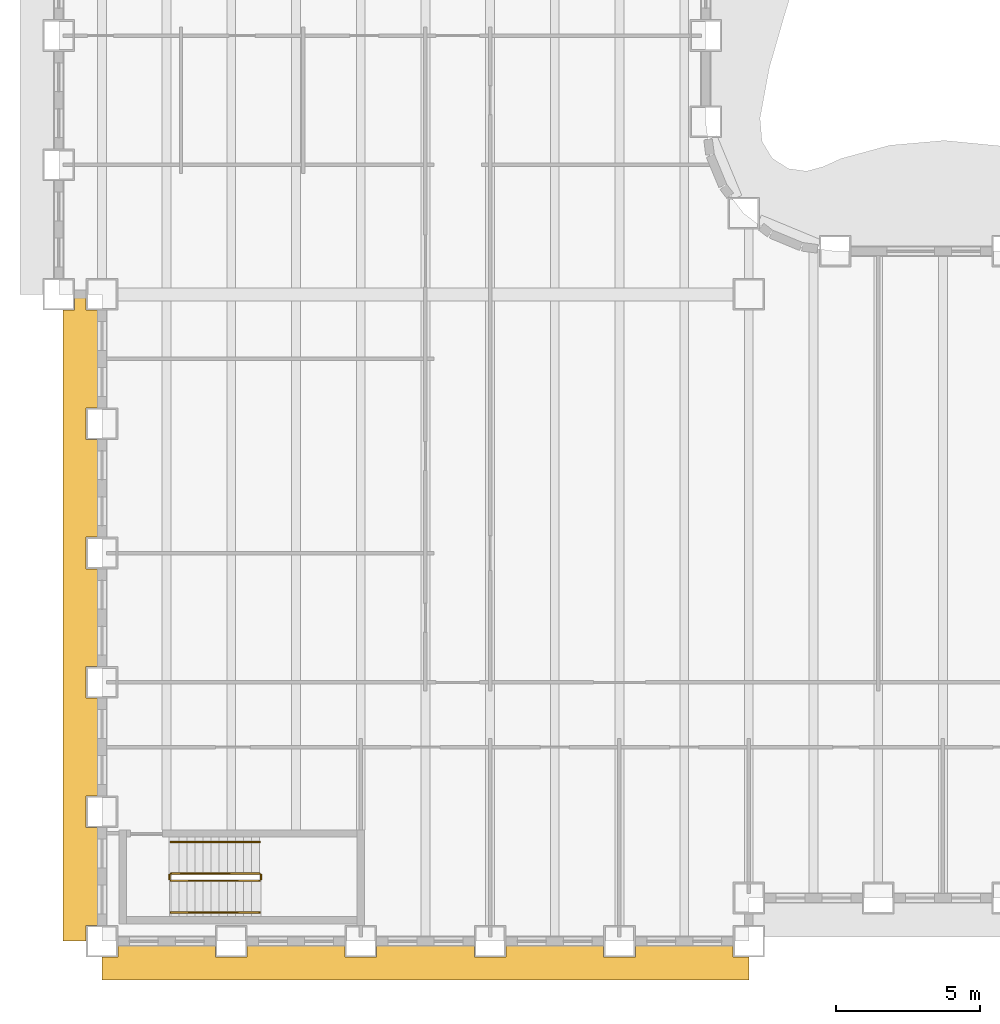
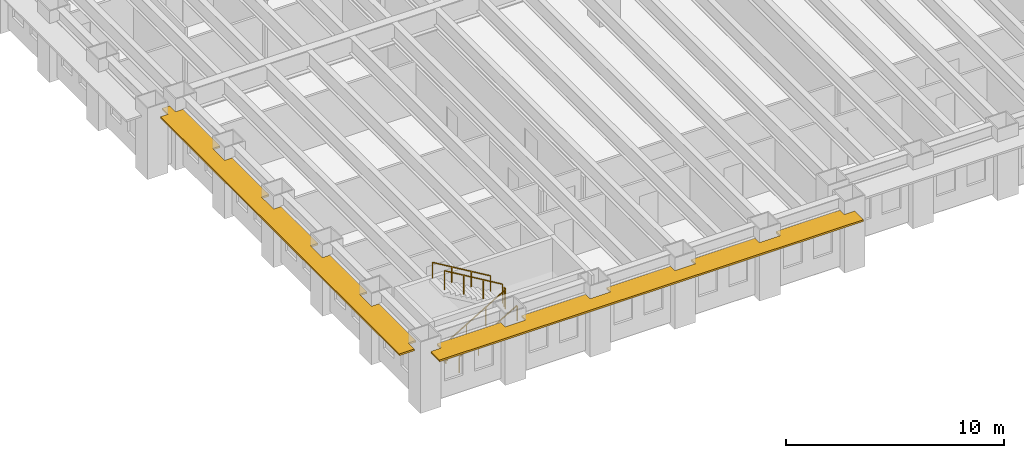
# One storey, part 12 of 17: 6 railings, 2 shading devices.
"""IFC4 building model written with IfcOpenShell, lengths in metres."""

from ifc_helpers import new_model, si_unit, direction, frame, origin, origin_2d, place, context, subcontext, project, spatial, polyline, rectangle, outline, extrude, material, layer, layer_set, type_object, element, save


model = new_model("IFC4")

# Units and contexts
model_context = context("Model", 3, precision=1e-05, world=origin(), true_north=direction((0.0, 1.0)))
body_context = subcontext(model_context, "Body", "Model", "MODEL_VIEW")
ifc_project = project(units=[si_unit("LENGTHUNIT", "METRE"), si_unit("AREAUNIT", "SQUARE_METRE"), si_unit("VOLUMEUNIT", "CUBIC_METRE"), si_unit("PLANEANGLEUNIT", "RADIAN"), si_unit("MASSUNIT", "GRAM", prefix="KILO")], contexts=[model_context])

# Site, building, storey
site_placement = place(None, origin())
site = spatial("IfcSite", under=ifc_project, at=site_placement, CompositionType="ELEMENT")
building_placement = place(site_placement, origin())
building = spatial("IfcBuilding", under=site, at=building_placement, Name="Sennacour Bend Tower", CompositionType="ELEMENT")
storey_placement = place(building_placement, frame((0.0, 0.0, 49.0)))
storey = spatial("IfcBuildingStorey", under=building, at=storey_placement, Name="L10", CompositionType="ELEMENT", Elevation=49.0)

# Railings
ifc_material_1 = material(Name="Stainless steel", Category="steel")
railing_type_1 = type_object("IfcRailingType", Name="RL-GUARD-1100", PredefinedType="GUARDRAIL", material=ifc_material_1)
railing_1_placement = place(storey_placement, frame((2.39990234375, 2.10009765625, 0.166748046875)))
element("IfcRailing", 1, at=railing_1_placement, inside=storey, type_object=railing_type_1, Name="L10 SK1 stair guard 1", PredefinedType="GUARDRAIL", context=body_context, shape_type="SweptSolid", body=[
    extrude(rectangle(XDim=0.048095703125, YDim=0.048095703125, at=origin_2d()), frame((0.0, 0.0, 1.076171875), z_axis=(0.859308565015, 0.0, 0.511457515432), x_axis=(0.0, 1.0, 0.0)), (0.0, 0.0, 1.0), 3.58447265625),
    extrude(rectangle(XDim=0.0419921875, YDim=0.0419921875, at=origin_2d()), origin(), (0.0, 0.0, 1.0), 1.052001953125),
    extrude(rectangle(XDim=0.0419921875, YDim=0.0419921875, at=origin_2d()), frame((1.026611328125, 0.0, 0.611083984375)), (0.0, 0.0, 1.0), 1.052001953125),
    extrude(rectangle(XDim=0.0419921875, YDim=0.0419921875, at=origin_2d()), frame((2.053466796875, 0.0, 1.22216796875)), (0.0, 0.0, 1.0), 1.052001953125),
    extrude(rectangle(XDim=0.0419921875, YDim=0.0419921875, at=origin_2d()), frame((3.080078125, 0.0, 1.833251953125)), (0.0, 0.0, 1.0), 1.052001953125),
])
railing_2_placement = place(storey_placement, frame((5.530029296875, 2.14990234375, 2.0)))
element("IfcRailing", 2, at=railing_2_placement, inside=storey, type_object=railing_type_1, Name="L10 SK1 stair guard 2", PredefinedType="GUARDRAIL", context=body_context, shape_type="SweptSolid", body=[
    extrude(rectangle(XDim=0.048095703125, YDim=0.048095703125, at=origin_2d()), frame((0.0, 0.0, 1.076171875), z_axis=(0.0, 1.0, 0.0), x_axis=(-1.0, 0.0, 0.0)), (0.0, 0.0, 1.0), 0.150146484375),
    extrude(rectangle(XDim=0.0419921875, YDim=0.0419921875, at=origin_2d()), origin(), (0.0, 0.0, 1.0), 1.052001953125),
    extrude(rectangle(XDim=0.0419921875, YDim=0.0419921875, at=origin_2d()), frame((0.0, 0.150146484375, 0.0)), (0.0, 0.0, 1.0), 1.052001953125),
])
railing_3_placement = place(storey_placement, frame((5.47998046875, 2.35009765625, 2.166748046875)))
element("IfcRailing", 3, at=railing_3_placement, inside=storey, type_object=railing_type_1, Name="L10 SK1 stair guard 3", PredefinedType="GUARDRAIL", context=body_context, shape_type="SweptSolid", body=[
    extrude(rectangle(XDim=0.048095703125, YDim=0.048095703125, at=origin_2d()), frame((0.0, 0.0, 1.076171875), z_axis=(-0.859308565015, 0.0, 0.511457515432), x_axis=(0.0, -1.0, 0.0)), (0.0, 0.0, 1.0), 3.58447265625),
    extrude(rectangle(XDim=0.0419921875, YDim=0.0419921875, at=origin_2d()), origin(), (0.0, 0.0, 1.0), 1.052001953125),
    extrude(rectangle(XDim=0.0419921875, YDim=0.0419921875, at=origin_2d()), frame((-1.026611328125, 0.0, 0.611083984375)), (0.0, 0.0, 1.0), 1.052001953125),
    extrude(rectangle(XDim=0.0419921875, YDim=0.0419921875, at=origin_2d()), frame((-2.053466796875, 0.0, 1.22216796875)), (0.0, 0.0, 1.0), 1.052001953125),
    extrude(rectangle(XDim=0.0419921875, YDim=0.0419921875, at=origin_2d()), frame((-3.080078125, 0.0, 1.833251953125)), (0.0, 0.0, 1.0), 1.052001953125),
])
railing_4_placement = place(storey_placement, frame((2.35009765625, 2.14990234375, 0.0)))
element("IfcRailing", 4, at=railing_4_placement, inside=storey, type_object=railing_type_1, Name="L10 SK1 stair guard 4", PredefinedType="GUARDRAIL", context=body_context, shape_type="SweptSolid", body=[
    extrude(rectangle(XDim=0.048095703125, YDim=0.048095703125, at=origin_2d()), frame((0.0, 0.0, 1.076171875), z_axis=(0.0, 1.0, 0.0), x_axis=(-1.0, 0.0, 0.0)), (0.0, 0.0, 1.0), 0.150146484375),
    extrude(rectangle(XDim=0.0419921875, YDim=0.0419921875, at=origin_2d()), origin(), (0.0, 0.0, 1.0), 1.052001953125),
    extrude(rectangle(XDim=0.0419921875, YDim=0.0419921875, at=origin_2d()), frame((0.0, 0.150146484375, 0.0)), (0.0, 0.0, 1.0), 1.052001953125),
])
railing_type_2 = type_object("IfcRailingType", Name="RL-HANDRAIL-900", PredefinedType="HANDRAIL", material=ifc_material_1)
railing_5_placement = place(storey_placement, frame((2.39990234375, 1.0, 0.166748046875)))
element("IfcRailing", 5, at=railing_5_placement, inside=storey, type_object=railing_type_2, Name="L10 SK1 stair handrail 1", PredefinedType="HANDRAIL", context=body_context, shape_type="SweptSolid", body=[
    extrude(rectangle(XDim=0.048095703125, YDim=0.048095703125, at=origin_2d()), frame((0.0, 0.0, 0.8759765625), z_axis=(0.859308565015, 0.0, 0.511457515432), x_axis=(0.0, 1.0, 0.0)), (0.0, 0.0, 1.0), 3.58447265625),
    extrude(rectangle(XDim=0.0419921875, YDim=0.0419921875, at=origin_2d()), origin(), (0.0, 0.0, 1.0), 0.851806640625),
    extrude(rectangle(XDim=0.0419921875, YDim=0.0419921875, at=origin_2d()), frame((1.026611328125, 0.0, 0.611083984375)), (0.0, 0.0, 1.0), 0.851806640625),
    extrude(rectangle(XDim=0.0419921875, YDim=0.0419921875, at=origin_2d()), frame((2.053466796875, 0.0, 1.22216796875)), (0.0, 0.0, 1.0), 0.851806640625),
    extrude(rectangle(XDim=0.0419921875, YDim=0.0419921875, at=origin_2d()), frame((3.080078125, 0.0, 1.833251953125)), (0.0, 0.0, 1.0), 0.851806640625),
])
railing_6_placement = place(storey_placement, frame((5.47998046875, 3.449951171875, 2.166748046875)))
element("IfcRailing", 6, at=railing_6_placement, inside=storey, type_object=railing_type_2, Name="L10 SK1 stair handrail 2", PredefinedType="HANDRAIL", context=body_context, shape_type="SweptSolid", body=[
    extrude(rectangle(XDim=0.048095703125, YDim=0.048095703125, at=origin_2d()), frame((0.0, 0.0, 0.8759765625), z_axis=(-0.859308565015, 0.0, 0.511457515432), x_axis=(0.0, -1.0, 0.0)), (0.0, 0.0, 1.0), 3.58447265625),
    extrude(rectangle(XDim=0.0419921875, YDim=0.0419921875, at=origin_2d()), origin(), (0.0, 0.0, 1.0), 0.851806640625),
    extrude(rectangle(XDim=0.0419921875, YDim=0.0419921875, at=origin_2d()), frame((-1.026611328125, 0.0, 0.611083984375)), (0.0, 0.0, 1.0), 0.851806640625),
    extrude(rectangle(XDim=0.0419921875, YDim=0.0419921875, at=origin_2d()), frame((-2.053466796875, 0.0, 1.22216796875)), (0.0, 0.0, 1.0), 0.851806640625),
    extrude(rectangle(XDim=0.0419921875, YDim=0.0419921875, at=origin_2d()), frame((-3.080078125, 0.0, 1.833251953125)), (0.0, 0.0, 1.0), 0.851806640625),
])

# Shading devices
ifc_material_2 = material(Name="Bronze anodised aluminium", Category="aluminium")
ifc_layer = layer(ifc_material_2, 0.10009765625, Name="Bronze anodised aluminium", Category="aluminium")
ifc_layer_set = layer_set([ifc_layer], Name="Bronze anodised aluminium")
shading_device_type = type_object("IfcShadingDeviceType", Name="SUNSHADE BAND STRAIGHT", PredefinedType="USERDEFINED", material=ifc_layer_set)
shading_device_1_placement = place(storey_placement, frame((0.0, 0.0, 3.0439453125)))
element("IfcShadingDevice", 7, at=shading_device_1_placement, inside=storey, type_object=shading_device_type, Name="Sunshade band L10 K outer face", ObjectType="SUNSHADE", PredefinedType="USERDEFINED", context=body_context, shape_type="SweptSolid", body=[
    extrude(outline(polyline([(3.949951171875, -0.14990234375), (3.949951171875, -0.550048828125), (5.050048828125, -0.550048828125), (5.050048828125, -0.14990234375), (8.449951171875, -0.14990234375), (8.449951171875, -0.550048828125), (9.550048828125, -0.550048828125), (9.550048828125, -0.14990234375), (12.949951171875, -0.14990234375), (12.949951171875, -0.550048828125), (14.050048828125, -0.550048828125), (14.050048828125, -0.14990234375), (17.449951171875, -0.14990234375), (17.449951171875, -0.550048828125), (18.550048828125, -0.550048828125), (18.550048828125, -0.14990234375), (21.949951171875, -0.14990234375), (21.949951171875, -0.550048828125), (22.5, -0.550048828125), (22.5, -1.35009765625), (0.0, -1.35009765625), (0.0, -0.550048828125), (0.550048828125, -0.550048828125), (0.550048828125, -0.14990234375), (3.949951171875, -0.14990234375)])), origin(), (0.0, 0.0, 1.0), 0.10009765625),
])
shading_device_2_placement = place(storey_placement, frame((0.0, 0.0, 3.0439453125)))
element("IfcShadingDevice", 8, at=shading_device_2_placement, inside=storey, type_object=shading_device_type, Name="Sunshade band L10 K outer face", ObjectType="SUNSHADE", PredefinedType="USERDEFINED", context=body_context, shape_type="SweptSolid", body=[
    extrude(outline(polyline([(-0.14990234375, 18.550048828125), (-0.550048828125, 18.550048828125), (-0.550048828125, 17.449951171875), (-0.14990234375, 17.449951171875), (-0.14990234375, 14.050048828125), (-0.550048828125, 14.050048828125), (-0.550048828125, 12.949951171875), (-0.14990234375, 12.949951171875), (-0.14990234375, 9.550048828125), (-0.550048828125, 9.550048828125), (-0.550048828125, 8.449951171875), (-0.14990234375, 8.449951171875), (-0.14990234375, 5.050048828125), (-0.550048828125, 5.050048828125), (-0.550048828125, 3.949951171875), (-0.14990234375, 3.949951171875), (-0.14990234375, 0.550048828125), (-0.550048828125, 0.550048828125), (-0.550048828125, 0.0), (-1.35009765625, 0.0), (-1.35009765625, 21.949951171875), (-0.949951171875, 21.949951171875), (-0.949951171875, 22.5), (-0.550048828125, 22.5), (-0.550048828125, 21.949951171875), (-0.14990234375, 21.949951171875), (-0.14990234375, 18.550048828125)])), origin(), (0.0, 0.0, 1.0), 0.10009765625),
])

save(model, "model.ifc")
